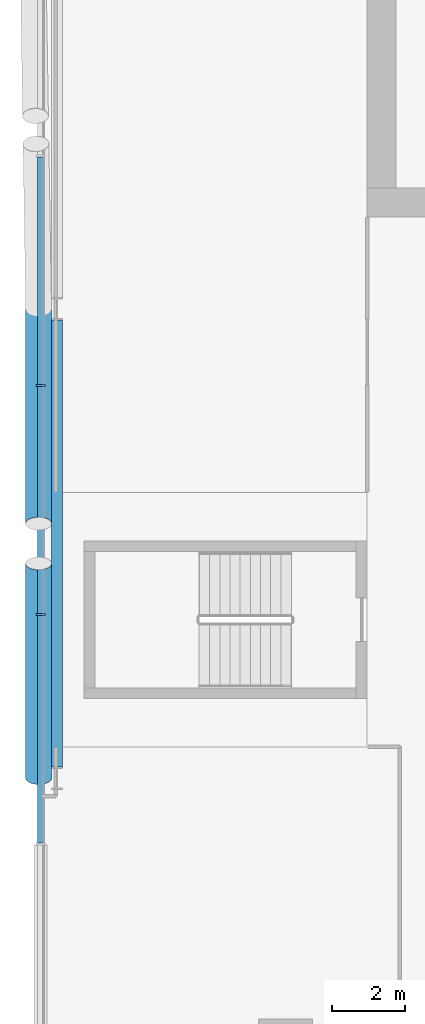
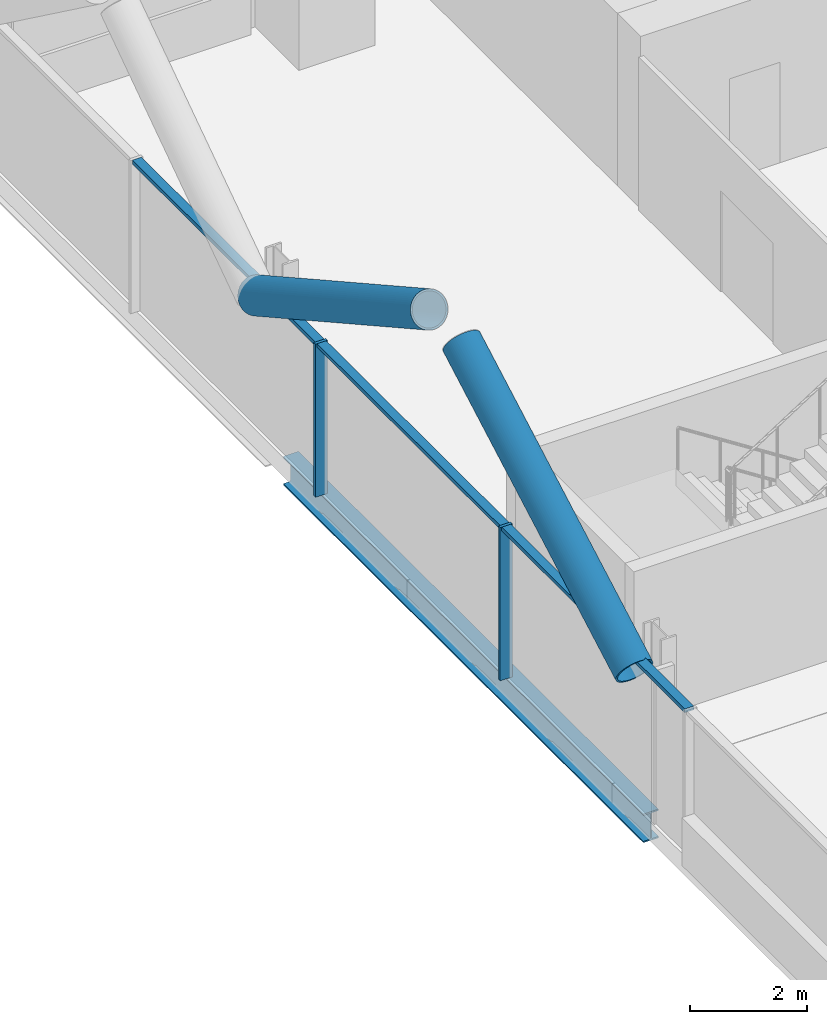
# One storey, part 7 of 26: 7 members, 1 beam, 1 element without a shape of its own.
"""IFC4 building model written with IfcOpenShell, lengths in metres."""

from ifc_helpers import new_model, si_unit, direction, frame, origin, origin_2d, place, context, subcontext, project, spatial, rectangle, hollow_circle, i_section, extrude, material, material_profile, profile_set, type_object, element, aggregate, save


model = new_model("IFC4")

# Units and contexts
model_context = context("Model", 3, precision=1e-05, world=origin(), true_north=direction((0.0, 1.0)))
body_context = subcontext(model_context, "Body", "Model", "MODEL_VIEW")
ifc_project = project(units=[si_unit("LENGTHUNIT", "METRE"), si_unit("AREAUNIT", "SQUARE_METRE"), si_unit("VOLUMEUNIT", "CUBIC_METRE"), si_unit("PLANEANGLEUNIT", "RADIAN"), si_unit("MASSUNIT", "GRAM", prefix="KILO")], contexts=[model_context])

# Site, building, storey
site_placement = place(None, origin())
site = spatial("IfcSite", under=ifc_project, at=site_placement, CompositionType="ELEMENT")
building_placement = place(site_placement, origin())
building = spatial("IfcBuilding", under=site, at=building_placement, Name="Wharfspan Tower", CompositionType="ELEMENT")
storey_placement = place(building_placement, frame((0.0, 0.0, 184.300049)))
storey = spatial("IfcBuildingStorey", under=building, at=storey_placement, Name="L45", CompositionType="ELEMENT", Elevation=184.300049)

# Beam
ifc_material_1 = material(Name="Steel S355J2", Category="steel")
ifc_material_profile_1 = material_profile(ifc_material_1, i_section(OverallWidth=0.300049, OverallDepth=0.600098, WebThickness=0.015381, FlangeThickness=0.030029, FilletRadius=0.0271, at=origin_2d()))
ifc_profile_set_1 = profile_set([ifc_material_profile_1], Name="Steel S355J2")
beam_type = type_object("IfcBeamType", Name="Edge beam HEB 600", PredefinedType="SPANDREL", material=ifc_profile_set_1)
beam_placement = place(storey_placement, frame((7.449951, 31.160645, -0.699951), z_axis=(0.0, -1.0, 0.0), x_axis=(1.0, 0.0, 0.0)))
element("IfcBeam", 1, at=beam_placement, inside=storey, type_object=beam_type, Name="Edge beam W L45 PW.1 to PW.2", PredefinedType="SPANDREL", context=body_context, shape_type="SweptSolid", body=[
    extrude(i_section(OverallWidth=0.300049, OverallDepth=0.600098, WebThickness=0.015381, FlangeThickness=0.030029, FilletRadius=0.0271, at=origin_2d()), origin(), (0.0, 0.0, 1.0), 12.321289),
])

# Curtain wall, members
ifc_material_2 = material(Name="Aluminium 6063-T6", Category="aluminium")
curtain_wall_type = type_object("IfcCurtainWallType", Name="CURTAIN WALL PROW AND END", PredefinedType="NOTDEFINED", material=ifc_material_2)
curtain_wall_placement = place(storey_placement, origin())
curtain_wall = element("IfcCurtainWall", 2, at=curtain_wall_placement, inside=storey, type_object=curtain_wall_type, Name="Curtain wall W", PredefinedType="NOTDEFINED")
ifc_material_profile_2 = material_profile(ifc_material_2, rectangle(XDim=0.23999, YDim=0.060059, at=origin_2d()))
ifc_profile_set_2 = profile_set([ifc_material_profile_2], Name="Aluminium 6063-T6")
member_type_1 = type_object("IfcMemberType", Name="MULLION PROW AND END 60x240", PredefinedType="MULLION", material=ifc_profile_set_2)
member_1_placement = place(storey_placement, frame((7.0, 29.360107, 0.0), z_axis=(0.0, 0.0, 1.0), x_axis=(1.0, 0.0, 0.0)))
member_1 = element("IfcMember", 3, at=member_1_placement, type_object=member_type_1, Name="Curtain wall W mullion 3", PredefinedType="MULLION", context=body_context, shape_type="SweptSolid", body=[
    extrude(rectangle(XDim=0.23999, YDim=0.060059, at=origin_2d()), origin(), (0.0, 0.0, 1.0), 3.199951),
])
member_2_placement = place(storey_placement, frame((7.0, 23.040039, 0.0), z_axis=(0.0, 0.0, 1.0), x_axis=(1.0, 0.0, 0.0)))
member_2 = element("IfcMember", 4, at=member_2_placement, type_object=member_type_1, Name="Curtain wall W mullion 4", PredefinedType="MULLION", context=body_context, shape_type="SweptSolid", body=[
    extrude(rectangle(XDim=0.23999, YDim=0.060059, at=origin_2d()), origin(), (0.0, 0.0, 1.0), 3.199951),
])

# Members
ifc_material_3 = material(Name="Steel S460NH", Category="steel")
ifc_material_profile_3 = material_profile(ifc_material_3, hollow_circle(Radius=0.355469, WallThickness=0.035889, at=origin_2d()))
ifc_profile_set_3 = profile_set([ifc_material_profile_3], Name="Steel S460NH")
member_type_2 = type_object("IfcMemberType", Name="Mega brace CHS 711x36", PredefinedType="BRACE", material=ifc_profile_set_3)
for number, where, z_axis, x_axis, name in (
    (5, (6.945068, 31.466553, 2.899902), (0.0, -0.873718, 0.486433), (1.0, 0.0, 0.0), "Mega brace W3 L46 part 1"),
    (6, (6.945068, 18.533447, 2.899902), (0.0, 0.873718, 0.486433), (-1.0, 0.0, 0.0), "Mega brace W3 L46 part 3"),
):
    element("IfcMember", number, at=place(storey_placement, frame(where, z_axis=z_axis, x_axis=x_axis)), inside=storey, type_object=member_type_2, Name=name, PredefinedType="BRACE", context=body_context, shape_type="SweptSolid", body=[
        extrude(hollow_circle(Radius=0.355469, WallThickness=0.035889, at=origin_2d()), origin(), (0.0, 0.0, 1.0), 6.766602),
    ])

# Member
ifc_material_profile_4 = material_profile(ifc_material_2, rectangle(XDim=0.179932, YDim=0.080078, at=origin_2d()))
ifc_profile_set_4 = profile_set([ifc_material_profile_4], Name="Aluminium 6063-T6")
member_type_3 = type_object("IfcMemberType", Name="TRANSOM PROW AND END 80x180", PredefinedType="USERDEFINED", material=ifc_profile_set_4)
member_3_placement = place(storey_placement, frame((7.0, 35.649902, 3.159912), z_axis=(0.0, -1.0, 0.0), x_axis=(1.0, 0.0, 0.0)))
member_3 = element("IfcMember", 7, at=member_3_placement, type_object=member_type_3, Name="Curtain wall W transom 2", ObjectType="TRANSOM", PredefinedType="USERDEFINED", context=body_context, shape_type="SweptSolid", body=[
    extrude(rectangle(XDim=0.179932, YDim=0.080078, at=origin_2d()), origin(), (0.0, 0.0, 1.0), 6.26001),
])

member_4_placement = place(storey_placement, frame((7.0, 29.330078, 3.159912), z_axis=(0.0, -1.0, 0.0), x_axis=(1.0, 0.0, 0.0)))
member_4 = element("IfcMember", 8, at=member_4_placement, type_object=member_type_3, Name="Curtain wall W transom 3", ObjectType="TRANSOM", PredefinedType="USERDEFINED", context=body_context, shape_type="SweptSolid", body=[
    extrude(rectangle(XDim=0.179932, YDim=0.080078, at=origin_2d()), origin(), (0.0, 0.0, 1.0), 6.26001),
])

member_5_placement = place(storey_placement, frame((7.0, 23.01001, 3.159912), z_axis=(0.0, -1.0, 0.0), x_axis=(1.0, 0.0, 0.0)))
member_5 = element("IfcMember", 9, at=member_5_placement, type_object=member_type_3, Name="Curtain wall W transom 4", ObjectType="TRANSOM", PredefinedType="USERDEFINED", context=body_context, shape_type="SweptSolid", body=[
    extrude(rectangle(XDim=0.179932, YDim=0.080078, at=origin_2d()), origin(), (0.0, 0.0, 1.0), 6.26001),
])

aggregate(curtain_wall, [member_1, member_2, member_3, member_4, member_5])

save(model, "model.ifc")
